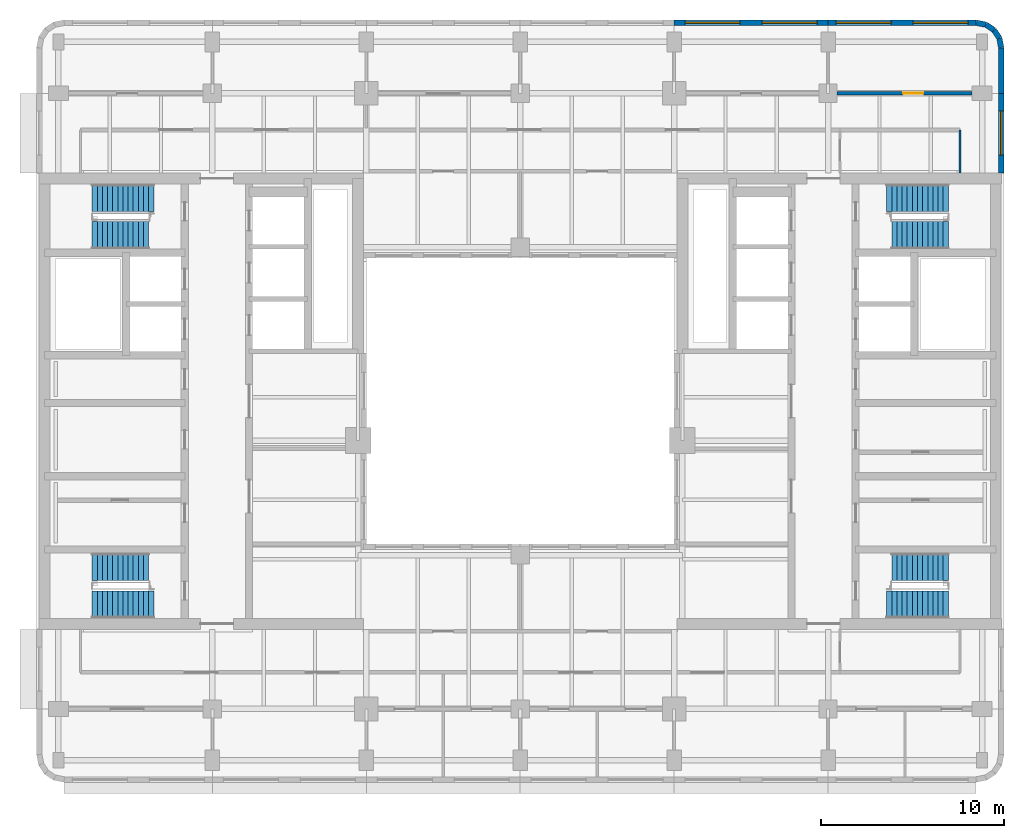
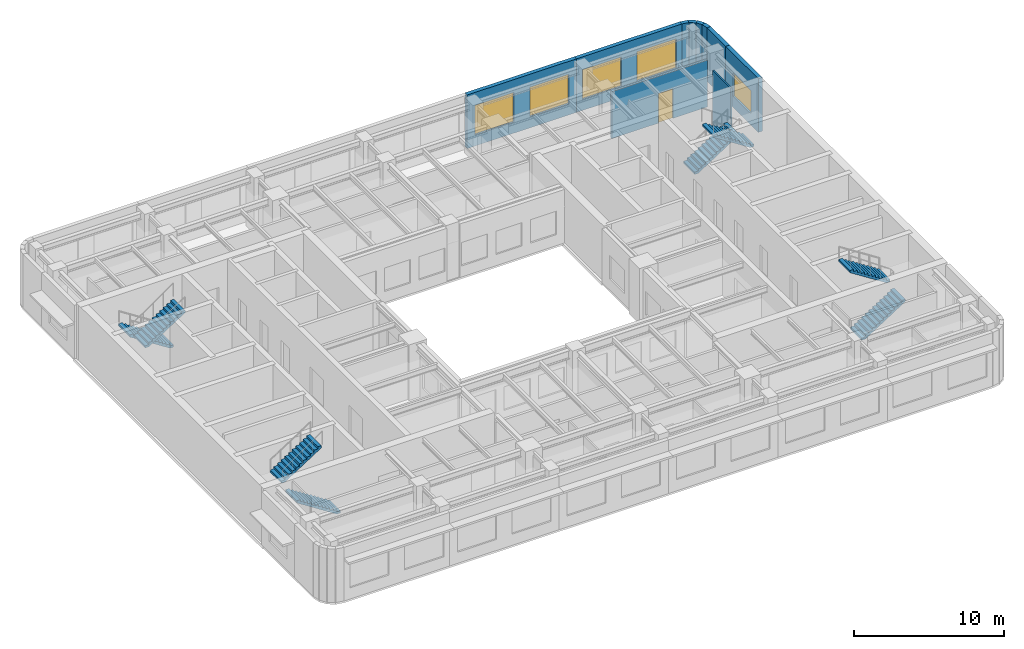
# One storey, part 8 of 11: 10 walls, 8 stair flights, 5 windows, 1 door, 6 openings, 4 elements without a shape of their own.
"""IFC4 building model written with IfcOpenShell, lengths in metres."""

from ifc_helpers import new_model, si_unit, direction, frame, frame_2d, origin, place, context, subcontext, project, spatial, polyline, rectangle, outline, extrude, material, layer, layer_set, type_object, element, fill, aggregate, save


model = new_model("IFC4")

# Units and contexts
model_context = context("Model", 3, precision=1e-05, world=origin(), true_north=direction((0.0, 1.0)))
body_context = subcontext(model_context, "Body", "Model", "MODEL_VIEW")
ifc_project = project(units=[si_unit("LENGTHUNIT", "METRE"), si_unit("AREAUNIT", "SQUARE_METRE"), si_unit("VOLUMEUNIT", "CUBIC_METRE"), si_unit("PLANEANGLEUNIT", "RADIAN"), si_unit("MASSUNIT", "GRAM", prefix="KILO")], contexts=[model_context])

# Site, building, storey
site_placement = place(None, origin())
site = spatial("IfcSite", under=ifc_project, at=site_placement, CompositionType="ELEMENT")
building_placement = place(site_placement, origin())
building = spatial("IfcBuilding", under=site, at=building_placement, Name="Claustro Exchange Tower", CompositionType="ELEMENT")
storey_placement = place(building_placement, frame((0.0, 0.0, 263.699951171875)))
storey = spatial("IfcBuildingStorey", under=building, at=storey_placement, Name="L60", CompositionType="ELEMENT", Elevation=263.699951171875)

# Wall
ifc_material_1 = material(Name="Laminated glass in aluminium frame", Category="aluminium")
ifc_layer_1 = layer(ifc_material_1, 0.1201171875)
ifc_layer_set_1 = layer_set([ifc_layer_1], Name="Laminated glass in aluminium frame")
wall_type_1 = type_object("IfcWallType", Name="P2 120 glazed partition", PredefinedType="PARTITIONING", material=ifc_layer_set_1)
wall_1_placement = place(storey_placement, frame((49.199951171875, 37.64794921875, 0.0), z_axis=(0.0, 0.0, 1.0), x_axis=(0.0, 1.0, 0.0)))
element("IfcWall", 1, at=wall_1_placement, inside=storey, type_object=wall_type_1, Name="Partition P2 L60", PredefinedType="PARTITIONING", context=body_context, shape_type="SweptSolid", body=[
    extrude(rectangle(XDim=2.35205078125, YDim=0.1201171875, at=frame_2d((1.176025390625, 0.0))), origin(), (0.0, 0.0, 1.0), 4.35009765625),
])

# Wall, opening, door
ifc_material_2 = material(Name="Twin-skin gypsum board on steel studs, mineral wool", Category="steel")
ifc_layer_2 = layer(ifc_material_2, 0.199951171875)
ifc_layer_set_2 = layer_set([ifc_layer_2], Name="Twin-skin gypsum board on steel studs, mineral wool")
wall_type_2 = type_object("IfcWallType", Name="P3 200 acoustic partition", PredefinedType="PARTITIONING", material=ifc_layer_set_2)
wall_2_placement = place(storey_placement, frame((42.4990234375, 42.0, 0.0), z_axis=(0.0, 0.0, 1.0), x_axis=(1.0, 0.0, 0.0)))
wall_2 = element("IfcWall", 2, at=wall_2_placement, inside=storey, type_object=wall_type_2, Name="Partition P3 L60", PredefinedType="PARTITIONING", context=body_context, shape_type="SweptSolid", body=[
    extrude(rectangle(XDim=7.35205078125, YDim=0.199951171875, at=frame_2d((3.676025390625, 0.0))), origin(), (0.0, 0.0, 1.0), 3.800048828125),
])
opening_1_placement = place(wall_2_placement, frame((3.60107421875, 0.0, 0.0)))
opening_1 = element("IfcOpeningElement", 3, at=opening_1_placement, cuts=wall_2, Name="Opening D8", PredefinedType="OPENING", context=body_context, shape_type="SweptSolid", body=[
    extrude(rectangle(XDim=1.10009765625, YDim=2.39990234375, at=frame_2d((0.550048828125, 1.199951171875))), frame((0.0, 0.10986328125, 0.0), z_axis=(0.0, -1.0, 0.0), x_axis=(1.0, 0.0, 0.0)), (0.0, 0.0, 1.0), 0.219970703125),
])
ifc_material_3 = material(Name="Timber door, walnut veneer", Category="wood")
door_type = type_object("IfcDoorType", Name="D8 1100 x 2400 executive door", OperationType="SINGLE_SWING_LEFT", PredefinedType="DOOR", material=ifc_material_3)
door_placement = place(opening_1_placement, origin())
door = element("IfcDoor", 4, at=door_placement, inside=storey, type_object=door_type, Name="Door D8 L60", OperationType="SINGLE_SWING_LEFT", OverallHeight=2.39990234375, OverallWidth=1.10009765625, PredefinedType="DOOR", context=body_context, shape_type="SweptSolid", body=[
    extrude(rectangle(XDim=1.10009765625, YDim=2.39990234375, at=frame_2d((0.550048828125, 1.199951171875))), frame((0.0, 0.02490234375, 0.0), z_axis=(0.0, -1.0, 0.0), x_axis=(1.0, 0.0, 0.0)), (0.0, 0.0, 1.0), 0.050048828125),
])
fill(opening_1, door)

# Wall, openings, windows
ifc_material_4 = material(Name="Concrete HA-40 (C40/50), precast, white cement, acid-etched", Category="concrete")
ifc_layer_3 = layer(ifc_material_4, 0.300048828125)
ifc_layer_set_3 = layer_set([ifc_layer_3], Name="Concrete HA-40 (C40/50), precast, white cement, acid-etched")
wall_type_3 = type_object("IfcWallType", Name="PC1 300 precast concrete pier panel", PredefinedType="SOLIDWALL", material=ifc_layer_set_3)
wall_3_placement = place(storey_placement, frame((33.60009765625, 45.85009765625, 0.0), z_axis=(0.0, 0.0, 1.0), x_axis=(1.0, 0.0, 0.0)))
wall_3 = element("IfcWall", 5, at=wall_3_placement, inside=storey, type_object=wall_type_3, Name="Precast pier panel PC1 L60", PredefinedType="SOLIDWALL", context=body_context, shape_type="SweptSolid", body=[
    extrude(rectangle(XDim=8.39990234375, YDim=0.300048828125, at=frame_2d((4.199951171875, 0.0))), origin(), (0.0, 0.0, 1.0), 4.35009765625),
])
opening_2_placement = place(wall_3_placement, frame((0.60009765625, 0.0, 0.89990234375)))
opening_2 = element("IfcOpeningElement", 6, at=opening_2_placement, cuts=wall_3, Name="Opening W3", PredefinedType="OPENING", context=body_context, shape_type="SweptSolid", body=[
    extrude(rectangle(XDim=3.0, YDim=2.39990234375, at=frame_2d((1.5, 1.199951171875))), frame((0.0, 0.159912109375, 0.0), z_axis=(0.0, -1.0, 0.0), x_axis=(1.0, 0.0, 0.0)), (0.0, 0.0, 1.0), 0.320068359375),
])
opening_3_placement = place(wall_3_placement, frame((4.800048828125, 0.0, 0.89990234375)))
opening_3 = element("IfcOpeningElement", 7, at=opening_3_placement, cuts=wall_3, Name="Opening W3", PredefinedType="OPENING", context=body_context, shape_type="SweptSolid", body=[
    extrude(rectangle(XDim=3.0, YDim=2.39990234375, at=frame_2d((1.5, 1.199951171875))), frame((0.0, 0.159912109375, 0.0), z_axis=(0.0, -1.0, 0.0), x_axis=(1.0, 0.0, 0.0)), (0.0, 0.0, 1.0), 0.320068359375),
])
ifc_material_5 = material(Name="Aluminium frame, clear double glazing", Category="aluminium")
window_type_1 = type_object("IfcWindowType", Name="W3 3000 x 2400 window", PartitioningType="SINGLE_PANEL", PredefinedType="WINDOW", material=ifc_material_5)
window_1_placement = place(opening_2_placement, origin())
window_1 = element("IfcWindow", 8, at=window_1_placement, inside=storey, type_object=window_type_1, Name="Window W3 L60", OverallHeight=2.39990234375, OverallWidth=3.0, PartitioningType="SINGLE_PANEL", PredefinedType="WINDOW", context=body_context, shape_type="SweptSolid", body=[
    extrude(rectangle(XDim=3.0, YDim=2.39990234375, at=frame_2d((1.5, 1.199951171875))), frame((0.0, 0.030029296875, 0.0), z_axis=(0.0, -1.0, 0.0), x_axis=(1.0, 0.0, 0.0)), (0.0, 0.0, 1.0), 0.06005859375),
])
fill(opening_2, window_1)
window_2_placement = place(opening_3_placement, origin())
window_2 = element("IfcWindow", 9, at=window_2_placement, inside=storey, type_object=window_type_1, Name="Window W3 L60", OverallHeight=2.39990234375, OverallWidth=3.0, PartitioningType="SINGLE_PANEL", PredefinedType="WINDOW", context=body_context, shape_type="SweptSolid", body=[
    extrude(rectangle(XDim=3.0, YDim=2.39990234375, at=frame_2d((1.5, 1.199951171875))), frame((0.0, 0.030029296875, 0.0), z_axis=(0.0, -1.0, 0.0), x_axis=(1.0, 0.0, 0.0)), (0.0, 0.0, 1.0), 0.06005859375),
])
fill(opening_3, window_2)

wall_4_placement = place(storey_placement, frame((42.0, 45.85009765625, 0.0), z_axis=(0.0, 0.0, 1.0), x_axis=(1.0, 0.0, 0.0)))
wall_4 = element("IfcWall", 10, at=wall_4_placement, inside=storey, type_object=wall_type_3, Name="Precast pier panel PC1 L60", PredefinedType="SOLIDWALL", context=body_context, shape_type="SweptSolid", body=[
    extrude(rectangle(XDim=8.085205078125, YDim=0.300048828125, at=frame_2d((4.04248046875, 0.0))), origin(), (0.0, 0.0, 1.0), 4.35009765625),
])
opening_4_placement = place(wall_4_placement, frame((0.442626953125, 0.0, 0.89990234375)))
opening_4 = element("IfcOpeningElement", 11, at=opening_4_placement, cuts=wall_4, Name="Opening W3", PredefinedType="OPENING", context=body_context, shape_type="SweptSolid", body=[
    extrude(rectangle(XDim=3.0, YDim=2.39990234375, at=frame_2d((1.5, 1.199951171875))), frame((0.0, 0.159912109375, 0.0), z_axis=(0.0, -1.0, 0.0), x_axis=(1.0, 0.0, 0.0)), (0.0, 0.0, 1.0), 0.320068359375),
])
opening_5_placement = place(wall_4_placement, frame((4.642578125, 0.0, 0.89990234375)))
opening_5 = element("IfcOpeningElement", 12, at=opening_5_placement, cuts=wall_4, Name="Opening W3", PredefinedType="OPENING", context=body_context, shape_type="SweptSolid", body=[
    extrude(rectangle(XDim=3.0, YDim=2.39990234375, at=frame_2d((1.5, 1.199951171875))), frame((0.0, 0.159912109375, 0.0), z_axis=(0.0, -1.0, 0.0), x_axis=(1.0, 0.0, 0.0)), (0.0, 0.0, 1.0), 0.320068359375),
])
window_3_placement = place(opening_4_placement, origin())
window_3 = element("IfcWindow", 13, at=window_3_placement, inside=storey, type_object=window_type_1, Name="Window W3 L60", OverallHeight=2.39990234375, OverallWidth=3.0, PartitioningType="SINGLE_PANEL", PredefinedType="WINDOW", context=body_context, shape_type="SweptSolid", body=[
    extrude(rectangle(XDim=3.0, YDim=2.39990234375, at=frame_2d((1.5, 1.199951171875))), frame((0.0, 0.030029296875, 0.0), z_axis=(0.0, -1.0, 0.0), x_axis=(1.0, 0.0, 0.0)), (0.0, 0.0, 1.0), 0.06005859375),
])
fill(opening_4, window_3)
window_4_placement = place(opening_5_placement, origin())
window_4 = element("IfcWindow", 14, at=window_4_placement, inside=storey, type_object=window_type_1, Name="Window W3 L60", OverallHeight=2.39990234375, OverallWidth=3.0, PartitioningType="SINGLE_PANEL", PredefinedType="WINDOW", context=body_context, shape_type="SweptSolid", body=[
    extrude(rectangle(XDim=3.0, YDim=2.39990234375, at=frame_2d((1.5, 1.199951171875))), frame((0.0, 0.030029296875, 0.0), z_axis=(0.0, -1.0, 0.0), x_axis=(1.0, 0.0, 0.0)), (0.0, 0.0, 1.0), 0.06005859375),
])
fill(opening_5, window_4)

# Walls
wall_5_placement = place(storey_placement, frame((50.085205078125, 45.85009765625, 0.0), z_axis=(0.0, 0.0, 1.0), x_axis=(0.980702050465, -0.1955082817, 0.0)))
element("IfcWall", 15, at=wall_5_placement, inside=storey, type_object=wall_type_3, Name="Precast pier panel PC1 L60", PredefinedType="SOLIDWALL", context=body_context, shape_type="SweptSolid", body=[
    extrude(rectangle(XDim=0.540771484375, YDim=0.300048828125, at=frame_2d((0.2705078125, 0.0))), origin(), (0.0, 0.0, 1.0), 4.35009765625),
])
wall_6_placement = place(storey_placement, frame((50.615478515625, 45.744384765625, 0.0), z_axis=(0.0, 0.0, 1.0), x_axis=(0.831692711774, -0.555236195849, 0.0)))
element("IfcWall", 16, at=wall_6_placement, inside=storey, type_object=wall_type_3, Name="Precast pier panel PC1 L60", PredefinedType="SOLIDWALL", context=body_context, shape_type="SweptSolid", body=[
    extrude(rectangle(XDim=0.525390625, YDim=0.300048828125, at=frame_2d((0.2626953125, 0.0))), origin(), (0.0, 0.0, 1.0), 4.35009765625),
])
wall_7_placement = place(storey_placement, frame((51.052490234375, 45.45263671875, 0.0), z_axis=(0.0, 0.0, 1.0), x_axis=(0.55534295404, -0.831621430339, 0.0)))
element("IfcWall", 17, at=wall_7_placement, inside=storey, type_object=wall_type_3, Name="Precast pier panel PC1 L60", PredefinedType="SOLIDWALL", context=body_context, shape_type="SweptSolid", body=[
    extrude(rectangle(XDim=0.52587890625, YDim=0.300048828125, at=frame_2d((0.262939453125, 0.0))), origin(), (0.0, 0.0, 1.0), 4.35009765625),
])
wall_8_placement = place(storey_placement, frame((51.344482421875, 45.015380859375, 0.0), z_axis=(0.0, 0.0, 1.0), x_axis=(0.195073962632, -0.980788534345, 0.0)))
element("IfcWall", 18, at=wall_8_placement, inside=storey, type_object=wall_type_3, Name="Precast pier panel PC1 L60", PredefinedType="SOLIDWALL", context=body_context, shape_type="SweptSolid", body=[
    extrude(rectangle(XDim=0.540771484375, YDim=0.300048828125, at=frame_2d((0.2705078125, 0.0))), origin(), (0.0, 0.0, 1.0), 4.35009765625),
])
wall_9_placement = place(storey_placement, frame((51.449951171875, 44.485107421875, 0.0), z_axis=(0.0, 0.0, 1.0), x_axis=(0.0, -1.0, 0.0)))
element("IfcWall", 19, at=wall_9_placement, inside=storey, type_object=wall_type_3, Name="Precast pier panel PC1 L60", PredefinedType="SOLIDWALL", context=body_context, shape_type="SweptSolid", body=[
    extrude(rectangle(XDim=2.485107421875, YDim=0.300048828125, at=frame_2d((1.24267578125, 0.0))), origin(), (0.0, 0.0, 1.0), 4.35009765625),
])

# Wall, opening, window
wall_10_placement = place(storey_placement, frame((51.449951171875, 42.0, 0.0), z_axis=(0.0, 0.0, 1.0), x_axis=(0.0, -1.0, 0.0)))
wall_10 = element("IfcWall", 20, at=wall_10_placement, inside=storey, type_object=wall_type_3, Name="Precast pier panel PC1 L60", PredefinedType="SOLIDWALL", context=body_context, shape_type="SweptSolid", body=[
    extrude(rectangle(XDim=4.35009765625, YDim=0.300048828125, at=frame_2d((2.175048828125, 0.0))), origin(), (0.0, 0.0, 1.0), 4.35009765625),
])
opening_6_placement = place(wall_10_placement, frame((0.97509765625, 0.0, 0.89990234375)))
opening_6 = element("IfcOpeningElement", 21, at=opening_6_placement, cuts=wall_10, Name="Opening W2", PredefinedType="OPENING", context=body_context, shape_type="SweptSolid", body=[
    extrude(rectangle(XDim=2.39990234375, YDim=1.89990234375, at=frame_2d((1.199951171875, 0.949951171875))), frame((0.0, 0.159912109375, 0.0), z_axis=(0.0, -1.0, 0.0), x_axis=(1.0, 0.0, 0.0)), (0.0, 0.0, 1.0), 0.320068359375),
])
ifc_material_6 = material(Name="Aluminium frame, clear double glazing", Category="aluminium")
window_type_2 = type_object("IfcWindowType", Name="W2 2400 x 1900 window", PartitioningType="SINGLE_PANEL", PredefinedType="WINDOW", material=ifc_material_6)
window_5_placement = place(opening_6_placement, origin())
window_5 = element("IfcWindow", 22, at=window_5_placement, inside=storey, type_object=window_type_2, Name="Window W2 L60", OverallHeight=1.89990234375, OverallWidth=2.39990234375, PartitioningType="SINGLE_PANEL", PredefinedType="WINDOW", context=body_context, shape_type="SweptSolid", body=[
    extrude(rectangle(XDim=2.39990234375, YDim=1.89990234375, at=frame_2d((1.199951171875, 0.949951171875))), frame((0.0, 0.030029296875, 0.0), z_axis=(0.0, -1.0, 0.0), x_axis=(1.0, 0.0, 0.0)), (0.0, 0.0, 1.0), 0.06005859375),
])
fill(opening_6, window_5)

# Stair, stair flight
ifc_material_7 = material(Name="Concrete HA-30 (C30/37), precast", Category="concrete")
stair_type = type_object("IfcStairType", Name="ST2 half-turn stair, 25 risers of 180", PredefinedType="HALF_TURN_STAIR", material=ifc_material_7)
stair_1_placement = place(storey_placement, origin())
stair_1 = element("IfcStair", 23, at=stair_1_placement, inside=storey, type_object=stair_type, Name="Stair STWA L60", PredefinedType="HALF_TURN_STAIR")
ifc_material_8 = material(Name="Concrete HA-30 (C30/37), precast", Category="concrete")
stair_flight_type_1 = type_object("IfcStairFlightType", Name="SF12B straight flight, 12 risers of 180, 1500 wide", PredefinedType="STRAIGHT", material=ifc_material_8)
stair_flight_1_placement = place(storey_placement, frame((1.840087890625, 16.14990234375, 2.340087890625), z_axis=(0.0, 0.0, 1.0), x_axis=(1.0, 0.0, 0.0)))
stair_flight_1 = element("IfcStairFlight", 24, at=stair_flight_1_placement, type_object=stair_flight_type_1, Name="STWA flight 2", NumberOfRisers=12, NumberOfTreads=11, PredefinedType="STRAIGHT", RiserHeight=0.18, TreadLength=0.28, context=body_context, shape_type="SweptSolid", body=[
    extrude(outline(polyline([(0.0, 0.0), (0.0, 0.179931640625), (0.280029296875, 0.179931640625), (0.280029296875, 0.360107421875), (0.56005859375, 0.360107421875), (0.56005859375, 0.5400390625), (0.840087890625, 0.5400390625), (0.840087890625, 0.719970703125), (1.1201171875, 0.719970703125), (1.1201171875, 0.89990234375), (1.39990234375, 0.89990234375), (1.39990234375, 1.080078125), (1.679931640625, 1.080078125), (1.679931640625, 1.260009765625), (1.9599609375, 1.260009765625), (1.9599609375, 1.43994140625), (2.239990234375, 1.43994140625), (2.239990234375, 1.6201171875), (2.52001953125, 1.6201171875), (2.52001953125, 1.800048828125), (2.800048828125, 1.800048828125), (2.800048828125, 1.97998046875), (3.080078125, 1.97998046875), (3.080078125, 2.159912109375), (3.080078125, 1.8017578125), (0.277099609375, 0.0), (0.0, 0.0)])), frame((0.0, 0.75, 0.0), z_axis=(0.0, -1.0, 0.0), x_axis=(1.0, 0.0, 0.0)), (0.0, 0.0, 1.0), 1.5),
])

stair_2_placement = place(storey_placement, origin())
stair_2 = element("IfcStair", 25, at=stair_2_placement, inside=storey, type_object=stair_type, Name="Stair STWB L60", PredefinedType="HALF_TURN_STAIR")
stair_flight_2_placement = place(storey_placement, frame((1.840087890625, 34.25, 2.340087890625), z_axis=(0.0, 0.0, 1.0), x_axis=(1.0, 0.0, 0.0)))
stair_flight_2 = element("IfcStairFlight", 26, at=stair_flight_2_placement, type_object=stair_flight_type_1, Name="STWB flight 2", NumberOfRisers=12, NumberOfTreads=11, PredefinedType="STRAIGHT", RiserHeight=0.18, TreadLength=0.28, context=body_context, shape_type="SweptSolid", body=[
    extrude(outline(polyline([(0.0, 0.0), (0.0, 0.179931640625), (0.280029296875, 0.179931640625), (0.280029296875, 0.360107421875), (0.56005859375, 0.360107421875), (0.56005859375, 0.5400390625), (0.840087890625, 0.5400390625), (0.840087890625, 0.719970703125), (1.1201171875, 0.719970703125), (1.1201171875, 0.89990234375), (1.39990234375, 0.89990234375), (1.39990234375, 1.080078125), (1.679931640625, 1.080078125), (1.679931640625, 1.260009765625), (1.9599609375, 1.260009765625), (1.9599609375, 1.43994140625), (2.239990234375, 1.43994140625), (2.239990234375, 1.6201171875), (2.52001953125, 1.6201171875), (2.52001953125, 1.800048828125), (2.800048828125, 1.800048828125), (2.800048828125, 1.97998046875), (3.080078125, 1.97998046875), (3.080078125, 2.159912109375), (3.080078125, 1.8017578125), (0.277099609375, 0.0), (0.0, 0.0)])), frame((0.0, 0.75, 0.0), z_axis=(0.0, -1.0, 0.0), x_axis=(1.0, 0.0, 0.0)), (0.0, 0.0, 1.0), 1.5),
])

stair_3_placement = place(storey_placement, origin())
stair_3 = element("IfcStair", 27, at=stair_3_placement, inside=storey, type_object=stair_type, Name="Stair STEA L60", PredefinedType="HALF_TURN_STAIR")
stair_flight_3_placement = place(storey_placement, frame((48.56005859375, 16.14990234375, 2.340087890625), z_axis=(0.0, 0.0, 1.0), x_axis=(-1.0, 0.0, 0.0)))
stair_flight_3 = element("IfcStairFlight", 28, at=stair_flight_3_placement, type_object=stair_flight_type_1, Name="STEA flight 2", NumberOfRisers=12, NumberOfTreads=11, PredefinedType="STRAIGHT", RiserHeight=0.18, TreadLength=0.28, context=body_context, shape_type="SweptSolid", body=[
    extrude(outline(polyline([(0.0, 0.0), (0.0, 0.179931640625), (0.280029296875, 0.179931640625), (0.280029296875, 0.360107421875), (0.56005859375, 0.360107421875), (0.56005859375, 0.5400390625), (0.840087890625, 0.5400390625), (0.840087890625, 0.719970703125), (1.1201171875, 0.719970703125), (1.1201171875, 0.89990234375), (1.39990234375, 0.89990234375), (1.39990234375, 1.080078125), (1.679931640625, 1.080078125), (1.679931640625, 1.260009765625), (1.9599609375, 1.260009765625), (1.9599609375, 1.43994140625), (2.239990234375, 1.43994140625), (2.239990234375, 1.6201171875), (2.52001953125, 1.6201171875), (2.52001953125, 1.800048828125), (2.800048828125, 1.800048828125), (2.800048828125, 1.97998046875), (3.080078125, 1.97998046875), (3.080078125, 2.159912109375), (3.080078125, 1.8017578125), (0.277099609375, 0.0), (0.0, 0.0)])), frame((0.0, 0.75, 0.0), z_axis=(0.0, -1.0, 0.0), x_axis=(1.0, 0.0, 0.0)), (0.0, 0.0, 1.0), 1.5),
])

stair_4_placement = place(storey_placement, origin())
stair_4 = element("IfcStair", 29, at=stair_4_placement, inside=storey, type_object=stair_type, Name="Stair STEB L60", PredefinedType="HALF_TURN_STAIR")
stair_flight_4_placement = place(storey_placement, frame((48.56005859375, 34.25, 2.340087890625), z_axis=(0.0, 0.0, 1.0), x_axis=(-1.0, 0.0, 0.0)))
stair_flight_4 = element("IfcStairFlight", 30, at=stair_flight_4_placement, type_object=stair_flight_type_1, Name="STEB flight 2", NumberOfRisers=12, NumberOfTreads=11, PredefinedType="STRAIGHT", RiserHeight=0.18, TreadLength=0.28, context=body_context, shape_type="SweptSolid", body=[
    extrude(outline(polyline([(0.0, 0.0), (0.0, 0.179931640625), (0.280029296875, 0.179931640625), (0.280029296875, 0.360107421875), (0.56005859375, 0.360107421875), (0.56005859375, 0.5400390625), (0.840087890625, 0.5400390625), (0.840087890625, 0.719970703125), (1.1201171875, 0.719970703125), (1.1201171875, 0.89990234375), (1.39990234375, 0.89990234375), (1.39990234375, 1.080078125), (1.679931640625, 1.080078125), (1.679931640625, 1.260009765625), (1.9599609375, 1.260009765625), (1.9599609375, 1.43994140625), (2.239990234375, 1.43994140625), (2.239990234375, 1.6201171875), (2.52001953125, 1.6201171875), (2.52001953125, 1.800048828125), (2.800048828125, 1.800048828125), (2.800048828125, 1.97998046875), (3.080078125, 1.97998046875), (3.080078125, 2.159912109375), (3.080078125, 1.8017578125), (0.277099609375, 0.0), (0.0, 0.0)])), frame((0.0, 0.75, 0.0), z_axis=(0.0, -1.0, 0.0), x_axis=(1.0, 0.0, 0.0)), (0.0, 0.0, 1.0), 1.5),
])

# Stair flight
ifc_material_9 = material(Name="Concrete HA-30 (C30/37), precast", Category="concrete")
stair_flight_type_2 = type_object("IfcStairFlightType", Name="SF13 straight flight, 13 risers of 180, 1500 wide", PredefinedType="STRAIGHT", material=ifc_material_9)
stair_flight_5_placement = place(storey_placement, frame((5.199951171875, 14.10009765625, 0.0), z_axis=(0.0, 0.0, 1.0), x_axis=(-1.0, 0.0, 0.0)))
stair_flight_5 = element("IfcStairFlight", 31, at=stair_flight_5_placement, type_object=stair_flight_type_2, Name="STWA flight 1", NumberOfRisers=13, NumberOfTreads=12, PredefinedType="STRAIGHT", RiserHeight=0.18, TreadLength=0.28, context=body_context, shape_type="SweptSolid", body=[
    extrude(outline(polyline([(0.0, 0.0), (0.0, 0.179931640625), (0.280029296875, 0.179931640625), (0.280029296875, 0.360107421875), (0.56005859375, 0.360107421875), (0.56005859375, 0.5400390625), (0.840087890625, 0.5400390625), (0.840087890625, 0.719970703125), (1.1201171875, 0.719970703125), (1.1201171875, 0.89990234375), (1.39990234375, 0.89990234375), (1.39990234375, 1.080078125), (1.679931640625, 1.080078125), (1.679931640625, 1.260009765625), (1.9599609375, 1.260009765625), (1.9599609375, 1.43994140625), (2.239990234375, 1.43994140625), (2.239990234375, 1.6201171875), (2.52001953125, 1.6201171875), (2.52001953125, 1.800048828125), (2.800048828125, 1.800048828125), (2.800048828125, 1.97998046875), (3.080078125, 1.97998046875), (3.080078125, 2.159912109375), (3.360107421875, 2.159912109375), (3.360107421875, 2.340087890625), (3.360107421875, 1.981689453125), (0.277099609375, 0.0), (0.0, 0.0)])), frame((0.0, 0.75, 0.0), z_axis=(0.0, -1.0, 0.0), x_axis=(1.0, 0.0, 0.0)), (0.0, 0.0, 1.0), 1.5),
])

aggregate(stair_1, [stair_flight_5, stair_flight_1])

stair_flight_6_placement = place(storey_placement, frame((5.199951171875, 36.300048828125, 0.0), z_axis=(0.0, 0.0, 1.0), x_axis=(-1.0, 0.0, 0.0)))
stair_flight_6 = element("IfcStairFlight", 32, at=stair_flight_6_placement, type_object=stair_flight_type_2, Name="STWB flight 1", NumberOfRisers=13, NumberOfTreads=12, PredefinedType="STRAIGHT", RiserHeight=0.18, TreadLength=0.28, context=body_context, shape_type="SweptSolid", body=[
    extrude(outline(polyline([(0.0, 0.0), (0.0, 0.179931640625), (0.280029296875, 0.179931640625), (0.280029296875, 0.360107421875), (0.56005859375, 0.360107421875), (0.56005859375, 0.5400390625), (0.840087890625, 0.5400390625), (0.840087890625, 0.719970703125), (1.1201171875, 0.719970703125), (1.1201171875, 0.89990234375), (1.39990234375, 0.89990234375), (1.39990234375, 1.080078125), (1.679931640625, 1.080078125), (1.679931640625, 1.260009765625), (1.9599609375, 1.260009765625), (1.9599609375, 1.43994140625), (2.239990234375, 1.43994140625), (2.239990234375, 1.6201171875), (2.52001953125, 1.6201171875), (2.52001953125, 1.800048828125), (2.800048828125, 1.800048828125), (2.800048828125, 1.97998046875), (3.080078125, 1.97998046875), (3.080078125, 2.159912109375), (3.360107421875, 2.159912109375), (3.360107421875, 2.340087890625), (3.360107421875, 1.981689453125), (0.277099609375, 0.0), (0.0, 0.0)])), frame((0.0, 0.75, 0.0), z_axis=(0.0, -1.0, 0.0), x_axis=(1.0, 0.0, 0.0)), (0.0, 0.0, 1.0), 1.5),
])

aggregate(stair_2, [stair_flight_6, stair_flight_2])

stair_flight_7_placement = place(storey_placement, frame((45.199951171875, 14.10009765625, 0.0), z_axis=(0.0, 0.0, 1.0), x_axis=(1.0, 0.0, 0.0)))
stair_flight_7 = element("IfcStairFlight", 33, at=stair_flight_7_placement, type_object=stair_flight_type_2, Name="STEA flight 1", NumberOfRisers=13, NumberOfTreads=12, PredefinedType="STRAIGHT", RiserHeight=0.18, TreadLength=0.28, context=body_context, shape_type="SweptSolid", body=[
    extrude(outline(polyline([(0.0, 0.0), (0.0, 0.179931640625), (0.280029296875, 0.179931640625), (0.280029296875, 0.360107421875), (0.56005859375, 0.360107421875), (0.56005859375, 0.5400390625), (0.840087890625, 0.5400390625), (0.840087890625, 0.719970703125), (1.1201171875, 0.719970703125), (1.1201171875, 0.89990234375), (1.39990234375, 0.89990234375), (1.39990234375, 1.080078125), (1.679931640625, 1.080078125), (1.679931640625, 1.260009765625), (1.9599609375, 1.260009765625), (1.9599609375, 1.43994140625), (2.239990234375, 1.43994140625), (2.239990234375, 1.6201171875), (2.52001953125, 1.6201171875), (2.52001953125, 1.800048828125), (2.800048828125, 1.800048828125), (2.800048828125, 1.97998046875), (3.080078125, 1.97998046875), (3.080078125, 2.159912109375), (3.360107421875, 2.159912109375), (3.360107421875, 2.340087890625), (3.360107421875, 1.981689453125), (0.277099609375, 0.0), (0.0, 0.0)])), frame((0.0, 0.75, 0.0), z_axis=(0.0, -1.0, 0.0), x_axis=(1.0, 0.0, 0.0)), (0.0, 0.0, 1.0), 1.5),
])

aggregate(stair_3, [stair_flight_7, stair_flight_3])

stair_flight_8_placement = place(storey_placement, frame((45.199951171875, 36.300048828125, 0.0), z_axis=(0.0, 0.0, 1.0), x_axis=(1.0, 0.0, 0.0)))
stair_flight_8 = element("IfcStairFlight", 34, at=stair_flight_8_placement, type_object=stair_flight_type_2, Name="STEB flight 1", NumberOfRisers=13, NumberOfTreads=12, PredefinedType="STRAIGHT", RiserHeight=0.18, TreadLength=0.28, context=body_context, shape_type="SweptSolid", body=[
    extrude(outline(polyline([(0.0, 0.0), (0.0, 0.179931640625), (0.280029296875, 0.179931640625), (0.280029296875, 0.360107421875), (0.56005859375, 0.360107421875), (0.56005859375, 0.5400390625), (0.840087890625, 0.5400390625), (0.840087890625, 0.719970703125), (1.1201171875, 0.719970703125), (1.1201171875, 0.89990234375), (1.39990234375, 0.89990234375), (1.39990234375, 1.080078125), (1.679931640625, 1.080078125), (1.679931640625, 1.260009765625), (1.9599609375, 1.260009765625), (1.9599609375, 1.43994140625), (2.239990234375, 1.43994140625), (2.239990234375, 1.6201171875), (2.52001953125, 1.6201171875), (2.52001953125, 1.800048828125), (2.800048828125, 1.800048828125), (2.800048828125, 1.97998046875), (3.080078125, 1.97998046875), (3.080078125, 2.159912109375), (3.360107421875, 2.159912109375), (3.360107421875, 2.340087890625), (3.360107421875, 1.981689453125), (0.277099609375, 0.0), (0.0, 0.0)])), frame((0.0, 0.75, 0.0), z_axis=(0.0, -1.0, 0.0), x_axis=(1.0, 0.0, 0.0)), (0.0, 0.0, 1.0), 1.5),
])

aggregate(stair_4, [stair_flight_8, stair_flight_4])

save(model, "model.ifc")
